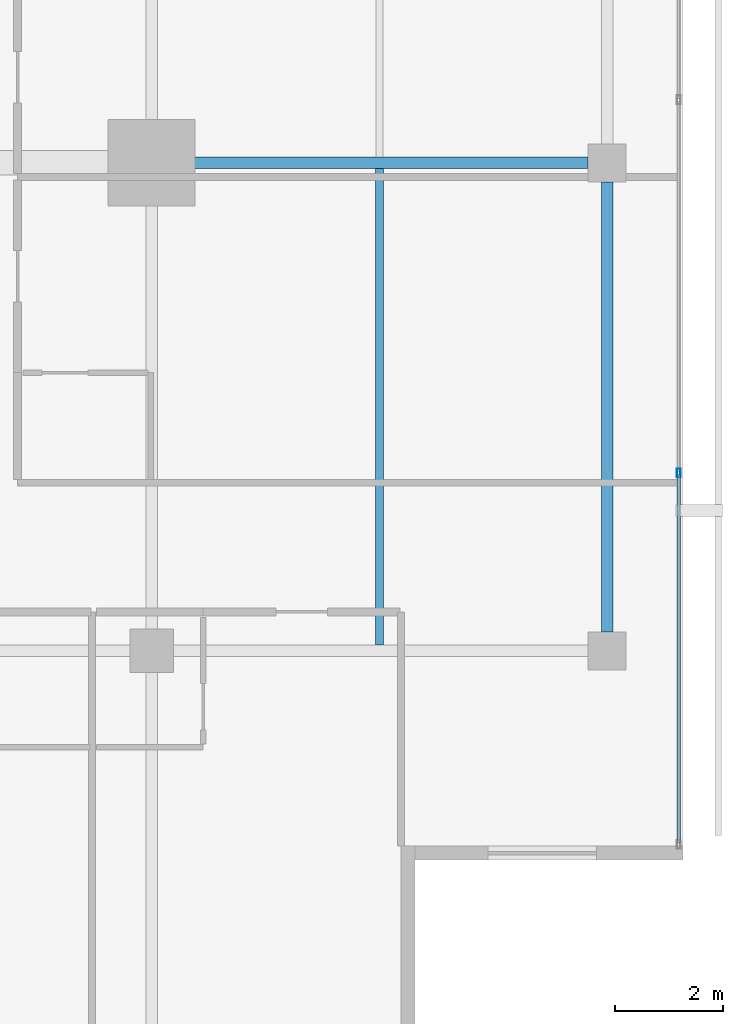
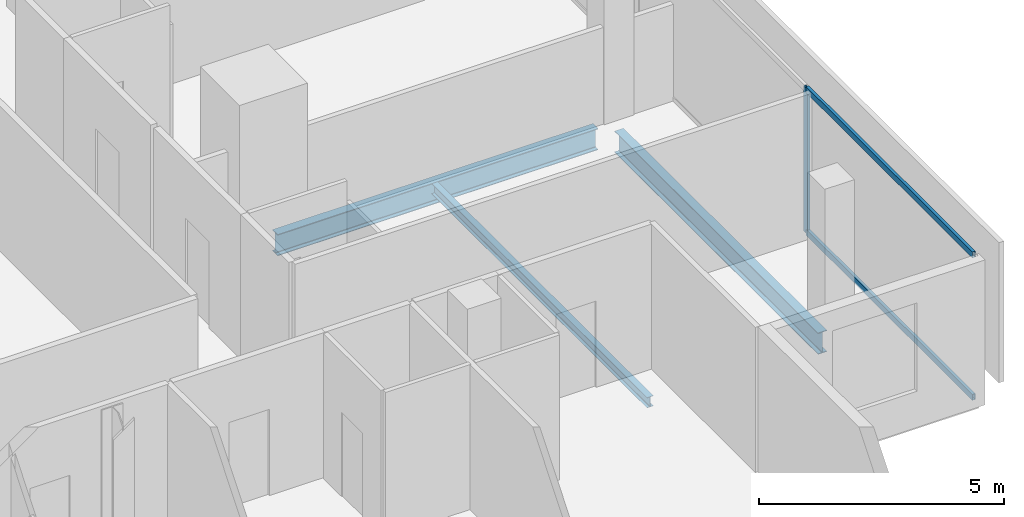
# One storey, part 12 of 25: 3 beams, 3 members, 1 element without a shape of its own.
"""IFC4 building model written with IfcOpenShell, lengths in metres."""

from ifc_helpers import new_model, si_unit, direction, frame, origin, origin_2d, place, context, subcontext, project, spatial, hollow_rectangle, i_section, extrude, material, layer, layer_set, material_profile, profile_set, type_object, element, aggregate, save


model = new_model("IFC4")

# Units and contexts
model_context = context("Model", 3, precision=1e-05, world=origin(), true_north=direction((0.0, 1.0)))
body_context = subcontext(model_context, "Body", "Model", "MODEL_VIEW")
ifc_project = project(units=[si_unit("LENGTHUNIT", "METRE"), si_unit("AREAUNIT", "SQUARE_METRE"), si_unit("VOLUMEUNIT", "CUBIC_METRE"), si_unit("PLANEANGLEUNIT", "RADIAN"), si_unit("MASSUNIT", "GRAM", prefix="KILO")], contexts=[model_context])

# Site, building, storey
site_placement = place(None, origin())
site = spatial("IfcSite", under=ifc_project, at=site_placement, CompositionType="ELEMENT")
building_placement = place(site_placement, origin())
building = spatial("IfcBuilding", under=site, at=building_placement, Name="Maruvema Waterfront Hotel and Observation Tower", CompositionType="ELEMENT")
storey_placement = place(building_placement, frame((0.0, 0.0, 247.10009765625)))
storey = spatial("IfcBuildingStorey", under=building, at=storey_placement, Name="L60", CompositionType="ELEMENT", Elevation=247.10009765625)

# Curtain wall, members
ifc_material_1 = material(Name="Anodised bronze aluminium and solar-control low-E IGU", Category="aluminium")
ifc_layer = layer(ifc_material_1, 0.159912109375, Name="Zone 3 Champagne Inner Thermal Curtain Wall System CW-04")
ifc_layer_set = layer_set([ifc_layer], Name="Anodised bronze aluminium and solar-control low-E IGU")
curtain_wall_type = type_object("IfcCurtainWallType", Name="Zone 3 Champagne Inner Thermal Curtain Wall System CW-04", PredefinedType="USERDEFINED", material=ifc_layer_set)
curtain_wall_placement = place(storey_placement, origin())
curtain_wall = element("IfcCurtainWall", 1, at=curtain_wall_placement, inside=storey, type_object=curtain_wall_type, Name="L60 Curtain Wall CW-L60-E", ObjectType="UNITISED CURTAIN WALL", PredefinedType="USERDEFINED")
ifc_material_2 = material(Name="Anodised architectural bronze aluminium", Category="aluminium")
ifc_material_profile_1 = material_profile(ifc_material_2, hollow_rectangle(XDim=0.070068359375, YDim=0.14990234375, WallThickness=0.00390625, at=origin_2d()), Name="ALU-T70x150")
ifc_profile_set_1 = profile_set([ifc_material_profile_1], Name="Anodised architectural bronze aluminium")
member_type_1 = type_object("IfcMemberType", Name="Curtain Wall Horizontal Transom ALU-T70x150", PredefinedType="USERDEFINED", material=ifc_profile_set_1)
member_1_placement = place(storey_placement, frame((60.1201171875, 14.4599609375, 0.02978515625), z_axis=(0.0, 1.0, 0.0), x_axis=(-1.0, 0.0, 0.0)))
member_1 = element("IfcMember", 2, at=member_1_placement, type_object=member_type_1, Name="CW-04 transom 1.1", ObjectType="TRANSOM", PredefinedType="USERDEFINED", context=body_context, shape_type="SweptSolid", body=[
    extrude(hollow_rectangle(XDim=0.070068359375, YDim=0.14990234375, WallThickness=0.00390625, at=origin_2d()), origin(), (0.0, 0.0, 1.0), 6.7900390625),
])
member_2_placement = place(storey_placement, frame((60.1201171875, 14.4599609375, 3.579833984375), z_axis=(0.0, 1.0, 0.0), x_axis=(-1.0, 0.0, 0.0)))
member_2 = element("IfcMember", 3, at=member_2_placement, type_object=member_type_1, Name="CW-04 transom 1.2", ObjectType="TRANSOM", PredefinedType="USERDEFINED", context=body_context, shape_type="SweptSolid", body=[
    extrude(hollow_rectangle(XDim=0.070068359375, YDim=0.14990234375, WallThickness=0.00390625, at=origin_2d()), origin(), (0.0, 0.0, 1.0), 6.7900390625),
])
ifc_material_3 = material(Name="Anodised architectural bronze aluminium", Category="aluminium")
ifc_material_profile_2 = material_profile(ifc_material_3, hollow_rectangle(XDim=0.06494140625, YDim=0.1650390625, WallThickness=0.00390625, at=origin_2d()), Name="ALU-M65x165")
ifc_profile_set_2 = profile_set([ifc_material_profile_2], Name="Anodised architectural bronze aluminium")
member_type_2 = type_object("IfcMemberType", Name="Curtain Wall Primary Mullion ALU-M65x165", PredefinedType="MULLION", material=ifc_profile_set_2)
member_3_placement = place(storey_placement, frame((60.1201171875, 21.280029296875, 0.0), z_axis=(0.0, 0.0, 1.0), x_axis=(-1.0, 0.0, 0.0)))
member_3 = element("IfcMember", 4, at=member_3_placement, type_object=member_type_2, Name="CW-04 mullion 2", PredefinedType="MULLION", context=body_context, shape_type="SweptSolid", body=[
    extrude(hollow_rectangle(XDim=0.06494140625, YDim=0.1650390625, WallThickness=0.00390625, at=origin_2d()), origin(), (0.0, 0.0, 1.0), 3.60986328125),
])
aggregate(curtain_wall, [member_3, member_1, member_2])

# Beams
ifc_material_4 = material(Name="Steel ASTM A572 Grade 50", Category="steel")
ifc_material_profile_3 = material_profile(ifc_material_4, i_section(OverallWidth=0.208984375, OverallDepth=0.532958984375, WebThickness=0.01025390625, FlangeThickness=0.015625, FilletRadius=0.014892578125, at=origin_2d()), Name="W530x92.0")
ifc_profile_set_3 = profile_set([ifc_material_profile_3], Name="Steel ASTM A572 Grade 50")
beam_type_1 = type_object("IfcBeamType", Name="Primary Floor Girder W530x92.0", PredefinedType="BEAM", material=ifc_profile_set_3)
beam_1_placement = place(storey_placement, frame((50.89990234375, 27.0, -0.506591796875), z_axis=(1.0, 0.0, 0.0), x_axis=(0.0, 1.0, 0.0)))
element("IfcBeam", 5, at=beam_1_placement, inside=storey, type_object=beam_type_1, Name="L60 Floor Girder EW-11", PredefinedType="BEAM", context=body_context, shape_type="SweptSolid", body=[
    extrude(i_section(OverallWidth=0.208984375, OverallDepth=0.532958984375, WebThickness=0.01025390625, FlangeThickness=0.015625, FilletRadius=0.014892578125, at=origin_2d()), origin(), (0.0, 0.0, 1.0), 7.550048828125),
])
beam_2_placement = place(storey_placement, frame((58.800048828125, 18.35009765625, -0.506591796875), z_axis=(0.0, 1.0, 0.0), x_axis=(-1.0, 0.0, 0.0)))
element("IfcBeam", 6, at=beam_2_placement, inside=storey, type_object=beam_type_1, Name="L60 Floor Girder NS-16", PredefinedType="BEAM", context=body_context, shape_type="SweptSolid", body=[
    extrude(i_section(OverallWidth=0.208984375, OverallDepth=0.532958984375, WebThickness=0.01025390625, FlangeThickness=0.015625, FilletRadius=0.014892578125, at=origin_2d()), origin(), (0.0, 0.0, 1.0), 8.2998046875),
])
ifc_material_5 = material(Name="Steel ASTM A572 Grade 50", Category="steel")
ifc_material_profile_4 = material_profile(ifc_material_5, i_section(OverallWidth=0.14599609375, OverallDepth=0.258056640625, WebThickness=0.006103515625, FlangeThickness=0.009033203125, FilletRadius=0.012939453125, at=origin_2d()), Name="W250x32.7")
ifc_profile_set_4 = profile_set([ifc_material_profile_4], Name="Steel ASTM A572 Grade 50")
beam_type_2 = type_object("IfcBeamType", Name="Secondary Floor Joist W250x32.7", PredefinedType="JOIST", material=ifc_profile_set_4)
beam_3_placement = place(storey_placement, frame((54.60009765625, 18.1044921875, -0.369140625), z_axis=(0.0, 1.0, 0.0), x_axis=(-1.0, 0.0, 0.0)))
element("IfcBeam", 7, at=beam_3_placement, inside=storey, type_object=beam_type_2, Name="L60 Secondary Floor Joist JS-07", PredefinedType="JOIST", context=body_context, shape_type="SweptSolid", body=[
    extrude(i_section(OverallWidth=0.14599609375, OverallDepth=0.258056640625, WebThickness=0.006103515625, FlangeThickness=0.009033203125, FilletRadius=0.012939453125, at=origin_2d()), origin(), (0.0, 0.0, 1.0), 8.791015625),
])

save(model, "model.ifc")
